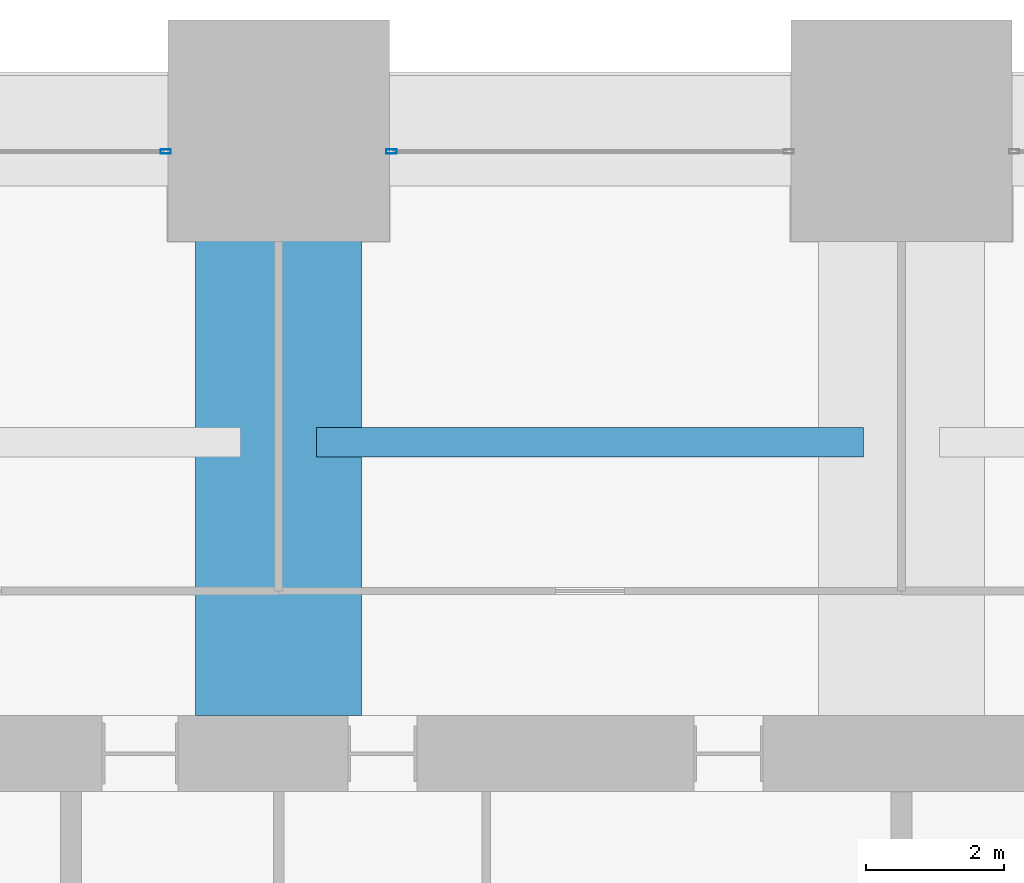
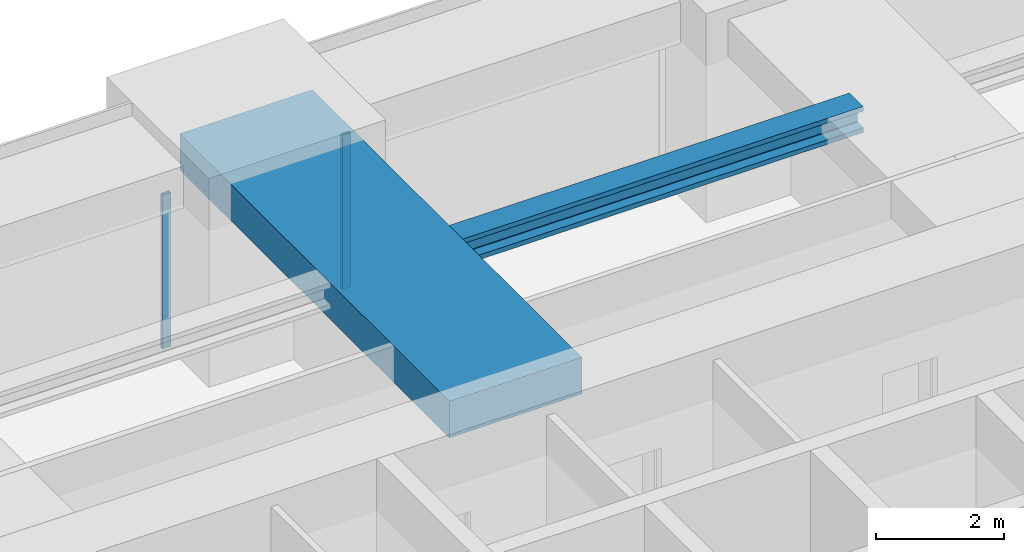
# One storey, part 25 of 35: 2 beams, 2 members, 2 elements without a shape of their own.
"""IFC4 building model written with IfcOpenShell, lengths in metres."""

from ifc_helpers import new_model, si_unit, direction, frame, origin, origin_2d, place, context, subcontext, project, spatial, rectangle, hollow_rectangle, i_section, extrude, material, material_profile, profile_set, type_object, element, aggregate, save


model = new_model("IFC4")

# Units and contexts
model_context = context("Model", 3, precision=1e-05, world=origin(), true_north=direction((0.0, 1.0)))
body_context = subcontext(model_context, "Body", "Model", "MODEL_VIEW")
ifc_project = project(units=[si_unit("LENGTHUNIT", "METRE"), si_unit("AREAUNIT", "SQUARE_METRE"), si_unit("VOLUMEUNIT", "CUBIC_METRE"), si_unit("PLANEANGLEUNIT", "RADIAN"), si_unit("MASSUNIT", "GRAM", prefix="KILO")], contexts=[model_context])

# Site, building, storey
site_placement = place(None, origin())
site = spatial("IfcSite", under=ifc_project, at=site_placement, CompositionType="ELEMENT")
building_placement = place(site_placement, origin())
building = spatial("IfcBuilding", under=site, at=building_placement, Name="Zorevar Civic Tower", CompositionType="ELEMENT")
storey_placement = place(building_placement, frame((0.0, 0.0, 162.199951171875)))
storey = spatial("IfcBuildingStorey", under=building, at=storey_placement, Name="L39", CompositionType="ELEMENT", Elevation=162.199951171875)

# Beam
ifc_material_1 = material(Name="Concrete C50/60", Category="concrete")
ifc_material_profile_1 = material_profile(ifc_material_1, rectangle(XDim=2.39990234375, YDim=0.699951171875, at=origin_2d()), Name="RC 2400x700")
ifc_profile_set_1 = profile_set([ifc_material_profile_1], Name="Concrete C50/60")
beam_type_1 = type_object("IfcBeamType", Name="Beam RC 2400x700", PredefinedType="BEAM", material=ifc_profile_set_1)
beam_1_placement = place(storey_placement, frame((27.0, 36.550048828125, 3.400146484375), z_axis=(0.0, 1.0, 0.0), x_axis=(-1.0, 0.0, 0.0)))
element("IfcBeam", 1, at=beam_1_placement, inside=storey, type_object=beam_type_1, Name="Girder L40", PredefinedType="BEAM", context=body_context, shape_type="SweptSolid", body=[
    extrude(rectangle(XDim=2.39990234375, YDim=0.699951171875, at=origin_2d()), origin(), (0.0, 0.0, 1.0), 8.449951171875),
])

# Curtain wall, member
ifc_material_2 = material(Name="Dark grey solar-control glass in black aluminium frame", Category="aluminium")
curtain_wall_type = type_object("IfcCurtainWallType", Name="Curtain wall CW4 high zone", PredefinedType="NOTDEFINED", material=ifc_material_2)
curtain_wall_1_placement = place(storey_placement, origin())
curtain_wall_1 = element("IfcCurtainWall", 2, at=curtain_wall_1_placement, inside=storey, type_object=curtain_wall_type, Name="CW4 L39", PredefinedType="NOTDEFINED")
ifc_material_3 = material(Name="Aluminium, black anodised", Category="aluminium")
ifc_material_profile_2 = material_profile(ifc_material_3, hollow_rectangle(XDim=0.06005859375, YDim=0.14990234375, WallThickness=0.00390625, at=origin_2d()), Name="AL 150x60x4")
ifc_profile_set_2 = profile_set([ifc_material_profile_2], Name="Aluminium, black anodised")
member_type = type_object("IfcMemberType", Name="CW4 mullion AL 150x60x4", PredefinedType="MULLION", material=ifc_profile_set_2)
member_1_placement = place(storey_placement, frame((25.3701171875, 44.699951171875, 0.0), z_axis=(0.0, 0.0, 1.0), x_axis=(0.0, 1.0, 0.0)))
member_1 = element("IfcMember", 3, at=member_1_placement, type_object=member_type, Name="CW4 mullion 2", PredefinedType="MULLION", context=body_context, shape_type="SweptSolid", body=[
    extrude(hollow_rectangle(XDim=0.06005859375, YDim=0.14990234375, WallThickness=0.00390625, at=origin_2d()), origin(), (0.0, 0.0, 1.0), 2.949951171875),
])
aggregate(curtain_wall_1, [member_1])

curtain_wall_2_placement = place(storey_placement, origin())
curtain_wall_2 = element("IfcCurtainWall", 4, at=curtain_wall_2_placement, inside=storey, type_object=curtain_wall_type, Name="CW4 L39", PredefinedType="NOTDEFINED")
member_2_placement = place(storey_placement, frame((28.6298828125, 44.699951171875, 0.0), z_axis=(0.0, 0.0, 1.0), x_axis=(0.0, 1.0, 0.0)))
member_2 = element("IfcMember", 5, at=member_2_placement, type_object=member_type, Name="CW4 mullion 1", PredefinedType="MULLION", context=body_context, shape_type="SweptSolid", body=[
    extrude(hollow_rectangle(XDim=0.06005859375, YDim=0.14990234375, WallThickness=0.00390625, at=origin_2d()), origin(), (0.0, 0.0, 1.0), 2.949951171875),
])
aggregate(curtain_wall_2, [member_2])

# Beam
ifc_material_4 = material(Name="Steel S460M (HISTAR 460)", Category="steel")
ifc_material_profile_3 = material_profile(ifc_material_4, i_section(OverallWidth=0.431884765625, OverallDepth=0.498046875, WebThickness=0.0556640625, FlangeThickness=0.0888671875, FilletRadius=0.014892578125, at=origin_2d()), Name="HD 400x744")
ifc_profile_set_3 = profile_set([ifc_material_profile_3], Name="Steel S460M (HISTAR 460)")
beam_type_2 = type_object("IfcBeamType", Name="Core bay beam HD 400x744", PredefinedType="BEAM", material=ifc_profile_set_3)
beam_2_placement = place(storey_placement, frame((27.550048828125, 40.5, 3.5009765625), z_axis=(1.0, 0.0, 0.0), x_axis=(0.0, 1.0, 0.0)))
element("IfcBeam", 6, at=beam_2_placement, inside=storey, type_object=beam_type_2, Name="Secondary beam L40", PredefinedType="BEAM", context=body_context, shape_type="SweptSolid", body=[
    extrude(i_section(OverallWidth=0.431884765625, OverallDepth=0.498046875, WebThickness=0.0556640625, FlangeThickness=0.0888671875, FilletRadius=0.014892578125, at=origin_2d()), origin(), (0.0, 0.0, 1.0), 7.89990234375),
])

save(model, "model.ifc")
